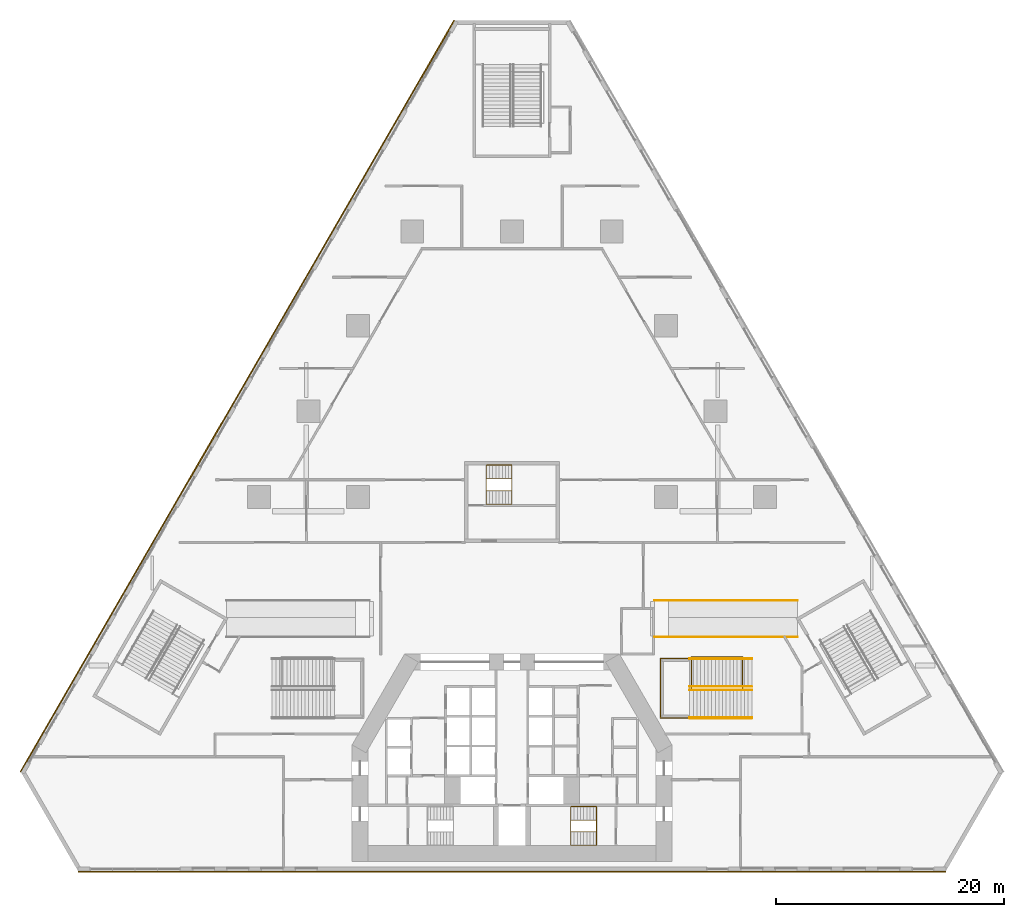
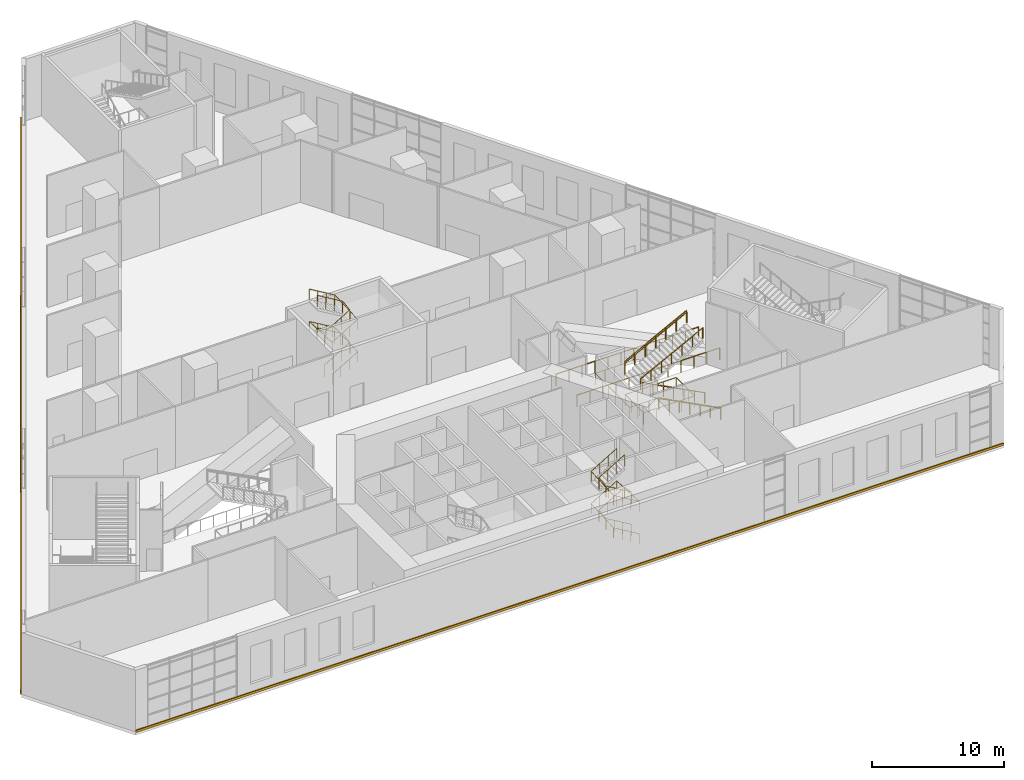
# One storey, part 23 of 27: 14 railings, 2 coverings.
"""IFC4 building model written with IfcOpenShell, lengths in metres."""

from ifc_helpers import new_model, si_unit, direction, frame, origin, origin_2d, place, context, subcontext, project, spatial, polyline, circle, outline, extrude, material, type_object, element, save


model = new_model("IFC4")

# Units and contexts
model_context = context("Model", 3, precision=1e-05, world=origin(), true_north=direction((0.0, 1.0)))
body_context = subcontext(model_context, "Body", "Model", "MODEL_VIEW")
ifc_project = project(units=[si_unit("LENGTHUNIT", "METRE"), si_unit("AREAUNIT", "SQUARE_METRE"), si_unit("VOLUMEUNIT", "CUBIC_METRE"), si_unit("PLANEANGLEUNIT", "RADIAN"), si_unit("MASSUNIT", "GRAM", prefix="KILO")], contexts=[model_context])

# Site, building, storey
site_placement = place(None, origin())
site = spatial("IfcSite", under=ifc_project, at=site_placement, CompositionType="ELEMENT")
building_placement = place(site_placement, origin())
building = spatial("IfcBuilding", under=site, at=building_placement, Name="Fogline Exchange Tower", CompositionType="ELEMENT")
storey_placement = place(building_placement, frame((0.0, 0.0, 8.0)))
storey = spatial("IfcBuildingStorey", under=building, at=storey_placement, Name="L01", CompositionType="ELEMENT", Elevation=8.0)

# Railings
ifc_material_1 = material(Name="Steel Q235B", Category="steel")
railing_type_1 = type_object("IfcRailingType", Name="PG1", PredefinedType="GUARDRAIL", material=ifc_material_1)
railing_1_placement = place(storey_placement, frame((15.699951171875, 15.949951171875, 0.0)))
element("IfcRailing", 1, at=railing_1_placement, inside=storey, type_object=railing_type_1, Name="Stair well guard PS2", PredefinedType="GUARDRAIL", context=body_context, shape_type="SweptSolid", body=[
    extrude(circle(Radius=0.02392578125, at=origin_2d()), frame((0.0, 0.0, 1.076171875), z_axis=(0.0, 1.0, 0.0), x_axis=(-1.0, 0.0, 0.0)), (0.0, 0.0, 1.0), 2.800048828125),
    extrude(circle(Radius=0.02392578125, at=origin_2d()), frame((0.0, 2.800048828125, 1.076171875), z_axis=(1.0, 0.0, 0.0), x_axis=(0.0, 1.0, 0.0)), (0.0, 0.0, 1.0), 4.47802734375),
    extrude(circle(Radius=0.02392578125, at=origin_2d()), frame((4.47802734375, 2.800048828125, 1.076171875), z_axis=(0.0, -1.0, 0.0), x_axis=(1.0, 0.0, 0.0)), (0.0, 0.0, 1.0), 2.800048828125),
    extrude(circle(Radius=0.02392578125, at=origin_2d()), frame((4.47802734375, 0.0, 1.076171875), z_axis=(-0.999999344587, 0.001144912563, 0.0), x_axis=(-0.001144912563, -0.999999344587, 0.0)), (0.0, 0.0, 1.0), 4.47802734375),
    extrude(circle(Radius=0.02099609375, at=origin_2d()), origin(), (0.0, 0.0, 1.0), 1.052001953125),
    extrude(circle(Radius=0.02099609375, at=origin_2d()), frame((0.0, 0.933349609375, 0.0)), (0.0, 0.0, 1.0), 1.052001953125),
    extrude(circle(Radius=0.02099609375, at=origin_2d()), frame((0.0, 1.86669921875, 0.0)), (0.0, 0.0, 1.0), 1.052001953125),
    extrude(circle(Radius=0.02099609375, at=origin_2d()), frame((0.0, 2.800048828125, 0.0)), (0.0, 0.0, 1.0), 1.052001953125),
    extrude(circle(Radius=0.02099609375, at=origin_2d()), frame((1.11962890625, 2.800048828125, 0.0)), (0.0, 0.0, 1.0), 1.052001953125),
    extrude(circle(Radius=0.02099609375, at=origin_2d()), frame((2.239013671875, 2.800048828125, 0.0)), (0.0, 0.0, 1.0), 1.052001953125),
    extrude(circle(Radius=0.02099609375, at=origin_2d()), frame((3.3583984375, 2.800048828125, 0.0)), (0.0, 0.0, 1.0), 1.052001953125),
    extrude(circle(Radius=0.02099609375, at=origin_2d()), frame((4.47802734375, 2.800048828125, 0.0)), (0.0, 0.0, 1.0), 1.052001953125),
    extrude(circle(Radius=0.02099609375, at=origin_2d()), frame((4.47802734375, 1.86669921875, 0.0)), (0.0, 0.0, 1.0), 1.052001953125),
    extrude(circle(Radius=0.02099609375, at=origin_2d()), frame((4.47802734375, 0.933349609375, 0.0)), (0.0, 0.0, 1.0), 1.052001953125),
    extrude(circle(Radius=0.02099609375, at=origin_2d()), frame((4.47802734375, 0.0, 0.0)), (0.0, 0.0, 1.0), 1.052001953125),
    extrude(circle(Radius=0.02099609375, at=origin_2d()), frame((3.3583984375, 0.001220703125, 0.0)), (0.0, 0.0, 1.0), 1.052001953125),
    extrude(circle(Radius=0.02099609375, at=origin_2d()), frame((2.239013671875, 0.00244140625, 0.0)), (0.0, 0.0, 1.0), 1.052001953125),
    extrude(circle(Radius=0.02099609375, at=origin_2d()), frame((1.11962890625, 0.00390625, 0.0)), (0.0, 0.0, 1.0), 1.052001953125),
    extrude(circle(Radius=0.02099609375, at=origin_2d()), frame((0.0, 0.005126953125, 0.0)), (0.0, 0.0, 1.0), 1.052001953125),
])
railing_2_placement = place(storey_placement, frame((21.0, 13.3798828125, 0.166748046875)))
element("IfcRailing", 2, at=railing_2_placement, inside=storey, type_object=railing_type_1, Name="Guard PS2", PredefinedType="GUARDRAIL", context=body_context, shape_type="SweptSolid", body=[
    extrude(circle(Radius=0.02392578125, at=origin_2d()), frame((0.0, 0.0, 1.076171875), z_axis=(-0.886917481566, 0.0, 0.461927895771), x_axis=(0.0, -1.0, 0.0)), (0.0, 0.0, 1.0), 6.133544921875),
    extrude(circle(Radius=0.02099609375, at=origin_2d()), origin(), (0.0, 0.0, 1.0), 1.052001953125),
    extrude(circle(Radius=0.02099609375, at=origin_2d()), frame((-0.90673828125, 0.0, 0.47216796875)), (0.0, 0.0, 1.0), 1.052001953125),
    extrude(circle(Radius=0.02099609375, at=origin_2d()), frame((-1.813232421875, 0.0, 0.9443359375)), (0.0, 0.0, 1.0), 1.052001953125),
    extrude(circle(Radius=0.02099609375, at=origin_2d()), frame((-2.719970703125, 0.0, 1.41650390625)), (0.0, 0.0, 1.0), 1.052001953125),
    extrude(circle(Radius=0.02099609375, at=origin_2d()), frame((-3.626708984375, 0.0, 1.888916015625)), (0.0, 0.0, 1.0), 1.052001953125),
    extrude(circle(Radius=0.02099609375, at=origin_2d()), frame((-4.533203125, 0.0, 2.361083984375)), (0.0, 0.0, 1.0), 1.052001953125),
    extrude(circle(Radius=0.02099609375, at=origin_2d()), frame((-5.43994140625, 0.0, 2.833251953125)), (0.0, 0.0, 1.0), 1.052001953125),
])
railing_3_placement = place(storey_placement, frame((15.56005859375, 18.6201171875, 3.166748046875)))
element("IfcRailing", 3, at=railing_3_placement, inside=storey, type_object=railing_type_1, Name="Guard PS2", PredefinedType="GUARDRAIL", context=body_context, shape_type="SweptSolid", body=[
    extrude(circle(Radius=0.02392578125, at=origin_2d()), frame((0.0, 0.0, 1.076171875), z_axis=(0.886917481566, 0.0, 0.461927895771), x_axis=(0.0, 1.0, 0.0)), (0.0, 0.0, 1.0), 6.133544921875),
    extrude(circle(Radius=0.02099609375, at=origin_2d()), origin(), (0.0, 0.0, 1.0), 1.052001953125),
    extrude(circle(Radius=0.02099609375, at=origin_2d()), frame((0.90673828125, 0.0, 0.47216796875)), (0.0, 0.0, 1.0), 1.052001953125),
    extrude(circle(Radius=0.02099609375, at=origin_2d()), frame((1.813232421875, 0.0, 0.9443359375)), (0.0, 0.0, 1.0), 1.052001953125),
    extrude(circle(Radius=0.02099609375, at=origin_2d()), frame((2.719970703125, 0.0, 1.41650390625)), (0.0, 0.0, 1.0), 1.052001953125),
    extrude(circle(Radius=0.02099609375, at=origin_2d()), frame((3.626708984375, 0.0, 1.888916015625)), (0.0, 0.0, 1.0), 1.052001953125),
    extrude(circle(Radius=0.02099609375, at=origin_2d()), frame((4.533203125, 0.0, 2.361083984375)), (0.0, 0.0, 1.0), 1.052001953125),
    extrude(circle(Radius=0.02099609375, at=origin_2d()), frame((5.43994140625, 0.0, 2.833251953125)), (0.0, 0.0, 1.0), 1.052001953125),
])
railing_4_placement = place(storey_placement, frame((15.56005859375, 13.39990234375, 3.0)))
element("IfcRailing", 4, at=railing_4_placement, inside=storey, type_object=railing_type_1, Name="Landing guard PS2", PredefinedType="GUARDRAIL", context=body_context, shape_type="SweptSolid", body=[
    extrude(circle(Radius=0.02392578125, at=origin_2d()), frame((0.0, 0.0, 1.076171875), z_axis=(-1.0, 0.0, 0.0), x_axis=(0.0, -1.0, 0.0)), (0.0, 0.0, 1.0), 2.56005859375),
    extrude(circle(Radius=0.02392578125, at=origin_2d()), frame((-2.56005859375, 0.0, 1.076171875), z_axis=(0.0, 1.0, 0.0), x_axis=(-1.0, 0.0, 0.0)), (0.0, 0.0, 1.0), 5.2001953125),
    extrude(circle(Radius=0.02392578125, at=origin_2d()), frame((-2.56005859375, 5.2001953125, 1.076171875), z_axis=(1.0, 0.0, 0.0), x_axis=(0.0, 1.0, 0.0)), (0.0, 0.0, 1.0), 2.56005859375),
    extrude(circle(Radius=0.02099609375, at=origin_2d()), origin(), (0.0, 0.0, 1.0), 1.052001953125),
    extrude(circle(Radius=0.02099609375, at=origin_2d()), frame((-0.853271484375, 0.0, 0.0)), (0.0, 0.0, 1.0), 1.052001953125),
    extrude(circle(Radius=0.02099609375, at=origin_2d()), frame((-1.706787109375, 0.0, 0.0)), (0.0, 0.0, 1.0), 1.052001953125),
    extrude(circle(Radius=0.02099609375, at=origin_2d()), frame((-2.56005859375, 0.0, 0.0)), (0.0, 0.0, 1.0), 1.052001953125),
    extrude(circle(Radius=0.02099609375, at=origin_2d()), frame((-2.56005859375, 1.0400390625, 0.0)), (0.0, 0.0, 1.0), 1.052001953125),
    extrude(circle(Radius=0.02099609375, at=origin_2d()), frame((-2.56005859375, 2.080078125, 0.0)), (0.0, 0.0, 1.0), 1.052001953125),
    extrude(circle(Radius=0.02099609375, at=origin_2d()), frame((-2.56005859375, 3.1201171875, 0.0)), (0.0, 0.0, 1.0), 1.052001953125),
    extrude(circle(Radius=0.02099609375, at=origin_2d()), frame((-2.56005859375, 4.16015625, 0.0)), (0.0, 0.0, 1.0), 1.052001953125),
    extrude(circle(Radius=0.02099609375, at=origin_2d()), frame((-2.56005859375, 5.2001953125, 0.0)), (0.0, 0.0, 1.0), 1.052001953125),
    extrude(circle(Radius=0.02099609375, at=origin_2d()), frame((-1.706787109375, 5.2001953125, 0.0)), (0.0, 0.0, 1.0), 1.052001953125),
    extrude(circle(Radius=0.02099609375, at=origin_2d()), frame((-0.853271484375, 5.2001953125, 0.0)), (0.0, 0.0, 1.0), 1.052001953125),
    extrude(circle(Radius=0.02099609375, at=origin_2d()), frame((0.0, 5.2001953125, 0.0)), (0.0, 0.0, 1.0), 1.052001953125),
])
for number, where, name in (
    (5, (12.5, 20.5, 0.0), "Guard"),
    (6, (12.5, 23.699951171875, 0.0), "Guard"),
):
    element("IfcRailing", number, at=place(storey_placement, frame(where)), inside=storey, type_object=railing_type_1, Name=name, PredefinedType="GUARDRAIL", context=body_context, shape_type="SweptSolid", body=[
        extrude(circle(Radius=0.02392578125, at=origin_2d()), frame((0.0, 0.0, 1.076171875), z_axis=(1.0, 0.0, 0.0), x_axis=(0.0, 1.0, 0.0)), (0.0, 0.0, 1.0), 12.5),
        extrude(circle(Radius=0.02099609375, at=origin_2d()), origin(), (0.0, 0.0, 1.0), 1.052001953125),
        extrude(circle(Radius=0.02099609375, at=origin_2d()), frame((1.136474609375, 0.0, 0.0)), (0.0, 0.0, 1.0), 1.052001953125),
        extrude(circle(Radius=0.02099609375, at=origin_2d()), frame((2.272705078125, 0.0, 0.0)), (0.0, 0.0, 1.0), 1.052001953125),
        extrude(circle(Radius=0.02099609375, at=origin_2d()), frame((3.4091796875, 0.0, 0.0)), (0.0, 0.0, 1.0), 1.052001953125),
        extrude(circle(Radius=0.02099609375, at=origin_2d()), frame((4.54541015625, 0.0, 0.0)), (0.0, 0.0, 1.0), 1.052001953125),
        extrude(circle(Radius=0.02099609375, at=origin_2d()), frame((5.681884765625, 0.0, 0.0)), (0.0, 0.0, 1.0), 1.052001953125),
        extrude(circle(Radius=0.02099609375, at=origin_2d()), frame((6.818115234375, 0.0, 0.0)), (0.0, 0.0, 1.0), 1.052001953125),
        extrude(circle(Radius=0.02099609375, at=origin_2d()), frame((7.95458984375, 0.0, 0.0)), (0.0, 0.0, 1.0), 1.052001953125),
        extrude(circle(Radius=0.02099609375, at=origin_2d()), frame((9.0908203125, 0.0, 0.0)), (0.0, 0.0, 1.0), 1.052001953125),
        extrude(circle(Radius=0.02099609375, at=origin_2d()), frame((10.227294921875, 0.0, 0.0)), (0.0, 0.0, 1.0), 1.052001953125),
        extrude(circle(Radius=0.02099609375, at=origin_2d()), frame((11.363525390625, 0.0, 0.0)), (0.0, 0.0, 1.0), 1.052001953125),
        extrude(circle(Radius=0.02099609375, at=origin_2d()), frame((12.5, 0.0, 0.0)), (0.0, 0.0, 1.0), 1.052001953125),
    ])
railing_type_2 = type_object("IfcRailingType", Name="PH1", PredefinedType="HANDRAIL", material=ifc_material_1)
for number, where, name in (
    (7, (21.0, 15.85009765625, 0.166748046875), "Handrail PS2"),
    (8, (21.0, 13.449951171875, 0.166748046875), "Handrail PS2"),
):
    element("IfcRailing", number, at=place(storey_placement, frame(where)), inside=storey, type_object=railing_type_2, Name=name, PredefinedType="HANDRAIL", context=body_context, shape_type="SweptSolid", body=[
        extrude(circle(Radius=0.02392578125, at=origin_2d()), frame((0.0, 0.0, 0.97607421875), z_axis=(-0.886917481566, 0.0, 0.461927895771), x_axis=(0.0, -1.0, 0.0)), (0.0, 0.0, 1.0), 6.133544921875),
        extrude(circle(Radius=0.02099609375, at=origin_2d()), origin(), (0.0, 0.0, 1.0), 0.951904296875),
        extrude(circle(Radius=0.02099609375, at=origin_2d()), frame((-0.90673828125, 0.0, 0.47216796875)), (0.0, 0.0, 1.0), 0.951904296875),
        extrude(circle(Radius=0.02099609375, at=origin_2d()), frame((-1.813232421875, 0.0, 0.9443359375)), (0.0, 0.0, 1.0), 0.951904296875),
        extrude(circle(Radius=0.02099609375, at=origin_2d()), frame((-2.719970703125, 0.0, 1.41650390625)), (0.0, 0.0, 1.0), 0.951904296875),
        extrude(circle(Radius=0.02099609375, at=origin_2d()), frame((-3.626708984375, 0.0, 1.888916015625)), (0.0, 0.0, 1.0), 0.951904296875),
        extrude(circle(Radius=0.02099609375, at=origin_2d()), frame((-4.533203125, 0.0, 2.361083984375)), (0.0, 0.0, 1.0), 0.951904296875),
        extrude(circle(Radius=0.02099609375, at=origin_2d()), frame((-5.43994140625, 0.0, 2.833251953125)), (0.0, 0.0, 1.0), 0.951904296875),
    ])
for number, where, name in (
    (9, (15.56005859375, 16.14990234375, 3.166748046875), "Handrail PS2"),
    (10, (15.56005859375, 18.550048828125, 3.166748046875), "Handrail PS2"),
):
    element("IfcRailing", number, at=place(storey_placement, frame(where)), inside=storey, type_object=railing_type_2, Name=name, PredefinedType="HANDRAIL", context=body_context, shape_type="SweptSolid", body=[
        extrude(circle(Radius=0.02392578125, at=origin_2d()), frame((0.0, 0.0, 0.97607421875), z_axis=(0.886917481566, 0.0, 0.461927895771), x_axis=(0.0, 1.0, 0.0)), (0.0, 0.0, 1.0), 6.133544921875),
        extrude(circle(Radius=0.02099609375, at=origin_2d()), origin(), (0.0, 0.0, 1.0), 0.951904296875),
        extrude(circle(Radius=0.02099609375, at=origin_2d()), frame((0.90673828125, 0.0, 0.47216796875)), (0.0, 0.0, 1.0), 0.951904296875),
        extrude(circle(Radius=0.02099609375, at=origin_2d()), frame((1.813232421875, 0.0, 0.9443359375)), (0.0, 0.0, 1.0), 0.951904296875),
        extrude(circle(Radius=0.02099609375, at=origin_2d()), frame((2.719970703125, 0.0, 1.41650390625)), (0.0, 0.0, 1.0), 0.951904296875),
        extrude(circle(Radius=0.02099609375, at=origin_2d()), frame((3.626708984375, 0.0, 1.888916015625)), (0.0, 0.0, 1.0), 0.951904296875),
        extrude(circle(Radius=0.02099609375, at=origin_2d()), frame((4.533203125, 0.0, 2.361083984375)), (0.0, 0.0, 1.0), 0.951904296875),
        extrude(circle(Radius=0.02099609375, at=origin_2d()), frame((5.43994140625, 0.0, 2.833251953125)), (0.0, 0.0, 1.0), 0.951904296875),
    ])
railing_type_3 = type_object("IfcRailingType", Name="RL-GD", PredefinedType="GUARDRAIL", material=ifc_material_1)
railing_5_placement = place(storey_placement, frame((7.39990234375, 3.449951171875, 0.166748046875)))
element("IfcRailing", 11, at=railing_5_placement, inside=storey, type_object=railing_type_3, Name="Guard ST2", PredefinedType="GUARDRAIL", context=body_context, shape_type="SweptSolid", body=[
    extrude(circle(Radius=0.02392578125, at=origin_2d()), frame((0.0, 0.0, 1.076171875), z_axis=(-0.859305625298, 0.0, 0.511462454469), x_axis=(0.0, -1.0, 0.0)), (0.0, 0.0, 1.0), 2.606689453125),
    extrude(circle(Radius=0.02392578125, at=origin_2d()), frame((-2.239990234375, 0.0, 2.4091796875), z_axis=(0.0, 0.986380903678, 0.164477089163), x_axis=(-1.0, 0.0, 0.0)), (0.0, 0.0, 1.0), 1.013916015625),
    extrude(circle(Radius=0.02392578125, at=origin_2d()), frame((-2.239990234375, 1.0, 2.576171875), z_axis=(0.859305625298, 0.0, 0.511462454469), x_axis=(0.0, 1.0, 0.0)), (0.0, 0.0, 1.0), 2.606689453125),
    extrude(circle(Radius=0.02392578125, at=origin_2d()), frame((0.0, 1.0, 3.9091796875), z_axis=(0.0, -0.986380903678, 0.164477089163), x_axis=(1.0, 0.0, 0.0)), (0.0, 0.0, 1.0), 1.013916015625),
    extrude(circle(Radius=0.02392578125, at=origin_2d()), frame((0.0, 0.0, 4.076171875), z_axis=(-0.859305625298, 0.0, 0.511462454469), x_axis=(0.0, -1.0, 0.0)), (0.0, 0.0, 1.0), 2.606689453125),
    extrude(circle(Radius=0.02392578125, at=origin_2d()), frame((-2.239990234375, 0.0, 5.4091796875), z_axis=(0.0, 0.986380903678, 0.164477089163), x_axis=(-1.0, 0.0, 0.0)), (0.0, 0.0, 1.0), 1.013916015625),
    extrude(circle(Radius=0.02392578125, at=origin_2d()), frame((-2.239990234375, 1.0, 5.576171875), z_axis=(0.859305625298, 0.0, 0.511462454469), x_axis=(0.0, 1.0, 0.0)), (0.0, 0.0, 1.0), 2.606689453125),
    extrude(circle(Radius=0.02099609375, at=origin_2d()), origin(), (0.0, 0.0, 1.0), 1.052001953125),
    extrude(circle(Radius=0.02099609375, at=origin_2d()), frame((-0.74658203125, 0.0, 0.4443359375)), (0.0, 0.0, 1.0), 1.052001953125),
    extrude(circle(Radius=0.02099609375, at=origin_2d()), frame((-1.493408203125, 0.0, 0.888916015625)), (0.0, 0.0, 1.0), 1.052001953125),
    extrude(circle(Radius=0.02099609375, at=origin_2d()), frame((-2.239990234375, 0.0, 1.333251953125)), (0.0, 0.0, 1.0), 1.052001953125),
    extrude(circle(Radius=0.02099609375, at=origin_2d()), frame((-2.239990234375, 1.0, 1.5)), (0.0, 0.0, 1.0), 1.052001953125),
    extrude(circle(Radius=0.02099609375, at=origin_2d()), frame((-1.493408203125, 1.0, 1.9443359375)), (0.0, 0.0, 1.0), 1.052001953125),
    extrude(circle(Radius=0.02099609375, at=origin_2d()), frame((-0.74658203125, 1.0, 2.388916015625)), (0.0, 0.0, 1.0), 1.052001953125),
    extrude(circle(Radius=0.02099609375, at=origin_2d()), frame((0.0, 1.0, 2.833251953125)), (0.0, 0.0, 1.0), 1.052001953125),
    extrude(circle(Radius=0.02099609375, at=origin_2d()), frame((0.0, 0.0, 3.0)), (0.0, 0.0, 1.0), 1.052001953125),
    extrude(circle(Radius=0.02099609375, at=origin_2d()), frame((-0.74658203125, 0.0, 3.4443359375)), (0.0, 0.0, 1.0), 1.052001953125),
    extrude(circle(Radius=0.02099609375, at=origin_2d()), frame((-1.493408203125, 0.0, 3.888916015625)), (0.0, 0.0, 1.0), 1.052001953125),
    extrude(circle(Radius=0.02099609375, at=origin_2d()), frame((-2.239990234375, 0.0, 4.333251953125)), (0.0, 0.0, 1.0), 1.052001953125),
    extrude(circle(Radius=0.02099609375, at=origin_2d()), frame((-2.239990234375, 1.0, 4.5)), (0.0, 0.0, 1.0), 1.052001953125),
    extrude(circle(Radius=0.02099609375, at=origin_2d()), frame((-1.493408203125, 1.0, 4.9443359375)), (0.0, 0.0, 1.0), 1.052001953125),
    extrude(circle(Radius=0.02099609375, at=origin_2d()), frame((-0.74658203125, 1.0, 5.388916015625)), (0.0, 0.0, 1.0), 1.052001953125),
    extrude(circle(Radius=0.02099609375, at=origin_2d()), frame((0.0, 1.0, 5.833251953125)), (0.0, 0.0, 1.0), 1.052001953125),
])
railing_6_placement = place(storey_placement, frame((-2.25, 33.306884765625, 0.166748046875)))
element("IfcRailing", 12, at=railing_6_placement, inside=storey, type_object=railing_type_3, Name="Guard ST3", PredefinedType="GUARDRAIL", context=body_context, shape_type="SweptSolid", body=[
    extrude(circle(Radius=0.02392578125, at=origin_2d()), frame((0.0, 0.0, 1.076171875), z_axis=(0.859305625298, 0.0, 0.511462454469), x_axis=(0.0, 1.0, 0.0)), (0.0, 0.0, 1.0), 2.606689453125),
    extrude(circle(Radius=0.02392578125, at=origin_2d()), frame((2.239990234375, 0.0, 2.4091796875), z_axis=(0.0, 0.987624803842, 0.156835094402), x_axis=(-1.0, 0.0, 0.0)), (0.0, 0.0, 1.0), 1.063232421875),
    extrude(circle(Radius=0.02392578125, at=origin_2d()), frame((2.239990234375, 1.050048828125, 2.576171875), z_axis=(-0.859305625298, 0.0, 0.511462454469), x_axis=(0.0, -1.0, 0.0)), (0.0, 0.0, 1.0), 2.606689453125),
    extrude(circle(Radius=0.02392578125, at=origin_2d()), frame((0.0, 1.050048828125, 3.9091796875), z_axis=(0.0, -0.987624803842, 0.156835094402), x_axis=(1.0, 0.0, 0.0)), (0.0, 0.0, 1.0), 1.063232421875),
    extrude(circle(Radius=0.02392578125, at=origin_2d()), frame((0.0, 0.0, 4.076171875), z_axis=(0.859305625298, 0.0, 0.511462454469), x_axis=(0.0, 1.0, 0.0)), (0.0, 0.0, 1.0), 2.606689453125),
    extrude(circle(Radius=0.02392578125, at=origin_2d()), frame((2.239990234375, 0.0, 5.4091796875), z_axis=(0.0, 0.987624803842, 0.156835094402), x_axis=(-1.0, 0.0, 0.0)), (0.0, 0.0, 1.0), 1.063232421875),
    extrude(circle(Radius=0.02392578125, at=origin_2d()), frame((2.239990234375, 1.050048828125, 5.576171875), z_axis=(-0.859305625298, 0.0, 0.511462454469), x_axis=(0.0, -1.0, 0.0)), (0.0, 0.0, 1.0), 2.606689453125),
    extrude(circle(Radius=0.02099609375, at=origin_2d()), origin(), (0.0, 0.0, 1.0), 1.052001953125),
    extrude(circle(Radius=0.02099609375, at=origin_2d()), frame((0.74658203125, 0.0, 0.4443359375)), (0.0, 0.0, 1.0), 1.052001953125),
    extrude(circle(Radius=0.02099609375, at=origin_2d()), frame((1.493408203125, 0.0, 0.888916015625)), (0.0, 0.0, 1.0), 1.052001953125),
    extrude(circle(Radius=0.02099609375, at=origin_2d()), frame((2.239990234375, 0.0, 1.333251953125)), (0.0, 0.0, 1.0), 1.052001953125),
    extrude(circle(Radius=0.02099609375, at=origin_2d()), frame((2.239990234375, 1.050048828125, 1.5)), (0.0, 0.0, 1.0), 1.052001953125),
    extrude(circle(Radius=0.02099609375, at=origin_2d()), frame((1.493408203125, 1.050048828125, 1.9443359375)), (0.0, 0.0, 1.0), 1.052001953125),
    extrude(circle(Radius=0.02099609375, at=origin_2d()), frame((0.74658203125, 1.050048828125, 2.388916015625)), (0.0, 0.0, 1.0), 1.052001953125),
    extrude(circle(Radius=0.02099609375, at=origin_2d()), frame((0.0, 1.050048828125, 2.833251953125)), (0.0, 0.0, 1.0), 1.052001953125),
    extrude(circle(Radius=0.02099609375, at=origin_2d()), frame((0.0, 0.0, 3.0)), (0.0, 0.0, 1.0), 1.052001953125),
    extrude(circle(Radius=0.02099609375, at=origin_2d()), frame((0.74658203125, 0.0, 3.4443359375)), (0.0, 0.0, 1.0), 1.052001953125),
    extrude(circle(Radius=0.02099609375, at=origin_2d()), frame((1.493408203125, 0.0, 3.888916015625)), (0.0, 0.0, 1.0), 1.052001953125),
    extrude(circle(Radius=0.02099609375, at=origin_2d()), frame((2.239990234375, 0.0, 4.333251953125)), (0.0, 0.0, 1.0), 1.052001953125),
    extrude(circle(Radius=0.02099609375, at=origin_2d()), frame((2.239990234375, 1.050048828125, 4.5)), (0.0, 0.0, 1.0), 1.052001953125),
    extrude(circle(Radius=0.02099609375, at=origin_2d()), frame((1.493408203125, 1.050048828125, 4.9443359375)), (0.0, 0.0, 1.0), 1.052001953125),
    extrude(circle(Radius=0.02099609375, at=origin_2d()), frame((0.74658203125, 1.050048828125, 5.388916015625)), (0.0, 0.0, 1.0), 1.052001953125),
    extrude(circle(Radius=0.02099609375, at=origin_2d()), frame((0.0, 1.050048828125, 5.833251953125)), (0.0, 0.0, 1.0), 1.052001953125),
])
railing_type_4 = type_object("IfcRailingType", Name="RL-HR", PredefinedType="HANDRAIL", material=ifc_material_1)
railing_7_placement = place(storey_placement, frame((7.39990234375, 2.25, 0.166748046875)))
element("IfcRailing", 13, at=railing_7_placement, inside=storey, type_object=railing_type_4, Name="Handrail ST2", PredefinedType="HANDRAIL", context=body_context, shape_type="SweptSolid", body=[
    extrude(circle(Radius=0.02392578125, at=origin_2d()), frame((0.0, 0.0, 0.92578125), z_axis=(-0.859305625298, 0.0, 0.511462454469), x_axis=(0.0, -1.0, 0.0)), (0.0, 0.0, 1.0), 2.606689453125),
    extrude(circle(Radius=0.02392578125, at=origin_2d()), frame((-2.239990234375, 0.0, 2.25927734375), z_axis=(0.0, 0.998799461751, 0.048986071548), x_axis=(-1.0, 0.0, 0.0)), (0.0, 0.0, 1.0), 3.404052734375),
    extrude(circle(Radius=0.02392578125, at=origin_2d()), frame((-2.239990234375, 3.39990234375, 2.42578125), z_axis=(0.859305625298, 0.0, 0.511462454469), x_axis=(0.0, 1.0, 0.0)), (0.0, 0.0, 1.0), 2.606689453125),
    extrude(circle(Radius=0.02392578125, at=origin_2d()), frame((0.0, 3.39990234375, 3.75927734375), z_axis=(0.0, -0.998799461751, 0.048986071548), x_axis=(1.0, 0.0, 0.0)), (0.0, 0.0, 1.0), 3.404052734375),
    extrude(circle(Radius=0.02392578125, at=origin_2d()), frame((0.0, 0.0, 3.92578125), z_axis=(-0.859305625298, 0.0, 0.511462454469), x_axis=(0.0, -1.0, 0.0)), (0.0, 0.0, 1.0), 2.606689453125),
    extrude(circle(Radius=0.02392578125, at=origin_2d()), frame((-2.239990234375, 0.0, 5.25927734375), z_axis=(0.0, 0.998799461751, 0.048986071548), x_axis=(-1.0, 0.0, 0.0)), (0.0, 0.0, 1.0), 3.404052734375),
    extrude(circle(Radius=0.02392578125, at=origin_2d()), frame((-2.239990234375, 3.39990234375, 5.42578125), z_axis=(0.859305625298, 0.0, 0.511462454469), x_axis=(0.0, 1.0, 0.0)), (0.0, 0.0, 1.0), 2.606689453125),
    extrude(circle(Radius=0.02099609375, at=origin_2d()), origin(), (0.0, 0.0, 1.0), 0.90185546875),
    extrude(circle(Radius=0.02099609375, at=origin_2d()), frame((-0.74658203125, 0.0, 0.4443359375)), (0.0, 0.0, 1.0), 0.90185546875),
    extrude(circle(Radius=0.02099609375, at=origin_2d()), frame((-1.493408203125, 0.0, 0.888916015625)), (0.0, 0.0, 1.0), 0.90185546875),
    extrude(circle(Radius=0.02099609375, at=origin_2d()), frame((-2.239990234375, 0.0, 1.333251953125)), (0.0, 0.0, 1.0), 0.90185546875),
    extrude(circle(Radius=0.02099609375, at=origin_2d()), frame((-2.239990234375, 1.13330078125, 1.388916015625)), (0.0, 0.0, 1.0), 0.90185546875),
    extrude(circle(Radius=0.02099609375, at=origin_2d()), frame((-2.239990234375, 2.2666015625, 1.4443359375)), (0.0, 0.0, 1.0), 0.90185546875),
    extrude(circle(Radius=0.02099609375, at=origin_2d()), frame((-2.239990234375, 3.39990234375, 1.5)), (0.0, 0.0, 1.0), 0.90185546875),
    extrude(circle(Radius=0.02099609375, at=origin_2d()), frame((-1.493408203125, 3.39990234375, 1.9443359375)), (0.0, 0.0, 1.0), 0.90185546875),
    extrude(circle(Radius=0.02099609375, at=origin_2d()), frame((-0.74658203125, 3.39990234375, 2.388916015625)), (0.0, 0.0, 1.0), 0.90185546875),
    extrude(circle(Radius=0.02099609375, at=origin_2d()), frame((0.0, 3.39990234375, 2.833251953125)), (0.0, 0.0, 1.0), 0.90185546875),
    extrude(circle(Radius=0.02099609375, at=origin_2d()), frame((0.0, 2.2666015625, 2.888916015625)), (0.0, 0.0, 1.0), 0.90185546875),
    extrude(circle(Radius=0.02099609375, at=origin_2d()), frame((0.0, 1.13330078125, 2.9443359375)), (0.0, 0.0, 1.0), 0.90185546875),
    extrude(circle(Radius=0.02099609375, at=origin_2d()), frame((0.0, 0.0, 3.0)), (0.0, 0.0, 1.0), 0.90185546875),
    extrude(circle(Radius=0.02099609375, at=origin_2d()), frame((-0.74658203125, 0.0, 3.4443359375)), (0.0, 0.0, 1.0), 0.90185546875),
    extrude(circle(Radius=0.02099609375, at=origin_2d()), frame((-1.493408203125, 0.0, 3.888916015625)), (0.0, 0.0, 1.0), 0.90185546875),
    extrude(circle(Radius=0.02099609375, at=origin_2d()), frame((-2.239990234375, 0.0, 4.333251953125)), (0.0, 0.0, 1.0), 0.90185546875),
    extrude(circle(Radius=0.02099609375, at=origin_2d()), frame((-2.239990234375, 1.13330078125, 4.388916015625)), (0.0, 0.0, 1.0), 0.90185546875),
    extrude(circle(Radius=0.02099609375, at=origin_2d()), frame((-2.239990234375, 2.2666015625, 4.4443359375)), (0.0, 0.0, 1.0), 0.90185546875),
    extrude(circle(Radius=0.02099609375, at=origin_2d()), frame((-2.239990234375, 3.39990234375, 4.5)), (0.0, 0.0, 1.0), 0.90185546875),
    extrude(circle(Radius=0.02099609375, at=origin_2d()), frame((-1.493408203125, 3.39990234375, 4.9443359375)), (0.0, 0.0, 1.0), 0.90185546875),
    extrude(circle(Radius=0.02099609375, at=origin_2d()), frame((-0.74658203125, 3.39990234375, 5.388916015625)), (0.0, 0.0, 1.0), 0.90185546875),
    extrude(circle(Radius=0.02099609375, at=origin_2d()), frame((0.0, 3.39990234375, 5.833251953125)), (0.0, 0.0, 1.0), 0.90185546875),
])
railing_8_placement = place(storey_placement, frame((-2.25, 32.10693359375, 0.166748046875)))
element("IfcRailing", 14, at=railing_8_placement, inside=storey, type_object=railing_type_4, Name="Handrail ST3", PredefinedType="HANDRAIL", context=body_context, shape_type="SweptSolid", body=[
    extrude(circle(Radius=0.02392578125, at=origin_2d()), frame((0.0, 0.0, 0.92578125), z_axis=(0.859305625298, 0.0, 0.511462454469), x_axis=(0.0, 1.0, 0.0)), (0.0, 0.0, 1.0), 2.606689453125),
    extrude(circle(Radius=0.02392578125, at=origin_2d()), frame((2.239990234375, 0.0, 2.25927734375), z_axis=(0.0, 0.998833981318, 0.04827709357), x_axis=(-1.0, 0.0, 0.0)), (0.0, 0.0, 1.0), 3.453857421875),
    extrude(circle(Radius=0.02392578125, at=origin_2d()), frame((2.239990234375, 3.449951171875, 2.42578125), z_axis=(-0.859305625298, 0.0, 0.511462454469), x_axis=(0.0, -1.0, 0.0)), (0.0, 0.0, 1.0), 2.606689453125),
    extrude(circle(Radius=0.02392578125, at=origin_2d()), frame((0.0, 3.449951171875, 3.75927734375), z_axis=(0.0, -0.998833981318, 0.04827709357), x_axis=(1.0, 0.0, 0.0)), (0.0, 0.0, 1.0), 3.453857421875),
    extrude(circle(Radius=0.02392578125, at=origin_2d()), frame((0.0, 0.0, 3.92578125), z_axis=(0.859305625298, 0.0, 0.511462454469), x_axis=(0.0, 1.0, 0.0)), (0.0, 0.0, 1.0), 2.606689453125),
    extrude(circle(Radius=0.02392578125, at=origin_2d()), frame((2.239990234375, 0.0, 5.25927734375), z_axis=(0.0, 0.998833981318, 0.04827709357), x_axis=(-1.0, 0.0, 0.0)), (0.0, 0.0, 1.0), 3.453857421875),
    extrude(circle(Radius=0.02392578125, at=origin_2d()), frame((2.239990234375, 3.449951171875, 5.42578125), z_axis=(-0.859305625298, 0.0, 0.511462454469), x_axis=(0.0, -1.0, 0.0)), (0.0, 0.0, 1.0), 2.606689453125),
    extrude(circle(Radius=0.02099609375, at=origin_2d()), origin(), (0.0, 0.0, 1.0), 0.90185546875),
    extrude(circle(Radius=0.02099609375, at=origin_2d()), frame((0.74658203125, 0.0, 0.4443359375)), (0.0, 0.0, 1.0), 0.90185546875),
    extrude(circle(Radius=0.02099609375, at=origin_2d()), frame((1.493408203125, 0.0, 0.888916015625)), (0.0, 0.0, 1.0), 0.90185546875),
    extrude(circle(Radius=0.02099609375, at=origin_2d()), frame((2.239990234375, 0.0, 1.333251953125)), (0.0, 0.0, 1.0), 0.90185546875),
    extrude(circle(Radius=0.02099609375, at=origin_2d()), frame((2.239990234375, 1.14990234375, 1.388916015625)), (0.0, 0.0, 1.0), 0.90185546875),
    extrude(circle(Radius=0.02099609375, at=origin_2d()), frame((2.239990234375, 2.300048828125, 1.4443359375)), (0.0, 0.0, 1.0), 0.90185546875),
    extrude(circle(Radius=0.02099609375, at=origin_2d()), frame((2.239990234375, 3.449951171875, 1.5)), (0.0, 0.0, 1.0), 0.90185546875),
    extrude(circle(Radius=0.02099609375, at=origin_2d()), frame((1.493408203125, 3.449951171875, 1.9443359375)), (0.0, 0.0, 1.0), 0.90185546875),
    extrude(circle(Radius=0.02099609375, at=origin_2d()), frame((0.74658203125, 3.449951171875, 2.388916015625)), (0.0, 0.0, 1.0), 0.90185546875),
    extrude(circle(Radius=0.02099609375, at=origin_2d()), frame((0.0, 3.449951171875, 2.833251953125)), (0.0, 0.0, 1.0), 0.90185546875),
    extrude(circle(Radius=0.02099609375, at=origin_2d()), frame((0.0, 2.300048828125, 2.888916015625)), (0.0, 0.0, 1.0), 0.90185546875),
    extrude(circle(Radius=0.02099609375, at=origin_2d()), frame((0.0, 1.14990234375, 2.9443359375)), (0.0, 0.0, 1.0), 0.90185546875),
    extrude(circle(Radius=0.02099609375, at=origin_2d()), frame((0.0, 0.0, 3.0)), (0.0, 0.0, 1.0), 0.90185546875),
    extrude(circle(Radius=0.02099609375, at=origin_2d()), frame((0.74658203125, 0.0, 3.4443359375)), (0.0, 0.0, 1.0), 0.90185546875),
    extrude(circle(Radius=0.02099609375, at=origin_2d()), frame((1.493408203125, 0.0, 3.888916015625)), (0.0, 0.0, 1.0), 0.90185546875),
    extrude(circle(Radius=0.02099609375, at=origin_2d()), frame((2.239990234375, 0.0, 4.333251953125)), (0.0, 0.0, 1.0), 0.90185546875),
    extrude(circle(Radius=0.02099609375, at=origin_2d()), frame((2.239990234375, 1.14990234375, 4.388916015625)), (0.0, 0.0, 1.0), 0.90185546875),
    extrude(circle(Radius=0.02099609375, at=origin_2d()), frame((2.239990234375, 2.300048828125, 4.4443359375)), (0.0, 0.0, 1.0), 0.90185546875),
    extrude(circle(Radius=0.02099609375, at=origin_2d()), frame((2.239990234375, 3.449951171875, 4.5)), (0.0, 0.0, 1.0), 0.90185546875),
    extrude(circle(Radius=0.02099609375, at=origin_2d()), frame((1.493408203125, 3.449951171875, 4.9443359375)), (0.0, 0.0, 1.0), 0.90185546875),
    extrude(circle(Radius=0.02099609375, at=origin_2d()), frame((0.74658203125, 3.449951171875, 5.388916015625)), (0.0, 0.0, 1.0), 0.90185546875),
    extrude(circle(Radius=0.02099609375, at=origin_2d()), frame((0.0, 3.449951171875, 5.833251953125)), (0.0, 0.0, 1.0), 0.90185546875),
])

# Coverings
ifc_material_2 = material(Name="Brick masonry", Category="masonry")
covering_type = type_object("IfcCoveringType", Name="SB1", PredefinedType="CLADDING", material=ifc_material_2)
covering_1_placement = place(storey_placement, origin())
element("IfcCovering", 15, at=covering_1_placement, inside=storey, type_object=covering_type, Name="Stringcourse band L01 S", PredefinedType="CLADDING", context=body_context, shape_type="SweptSolid", body=[
    extrude(outline(polyline([(-38.0, 0.0), (-38.0, -0.10009765625), (38.0, -0.10009765625), (38.0, 0.0), (-38.0, 0.0)])), origin(), (0.0, 0.0, 1.0), 0.199951171875),
])
covering_2_placement = place(storey_placement, origin())
element("IfcCovering", 16, at=covering_2_placement, inside=storey, type_object=covering_type, Name="Stringcourse band L01 W", PredefinedType="CLADDING", context=body_context, shape_type="SweptSolid", body=[
    extrude(outline(polyline([(-5.0, 74.478271484375), (-5.086669921875, 74.5283203125), (-43.086669921875, 8.710205078125), (-43.0, 8.660400390625), (-5.0, 74.478271484375)])), origin(), (0.0, 0.0, 1.0), 0.199951171875),
])

save(model, "model.ifc")
